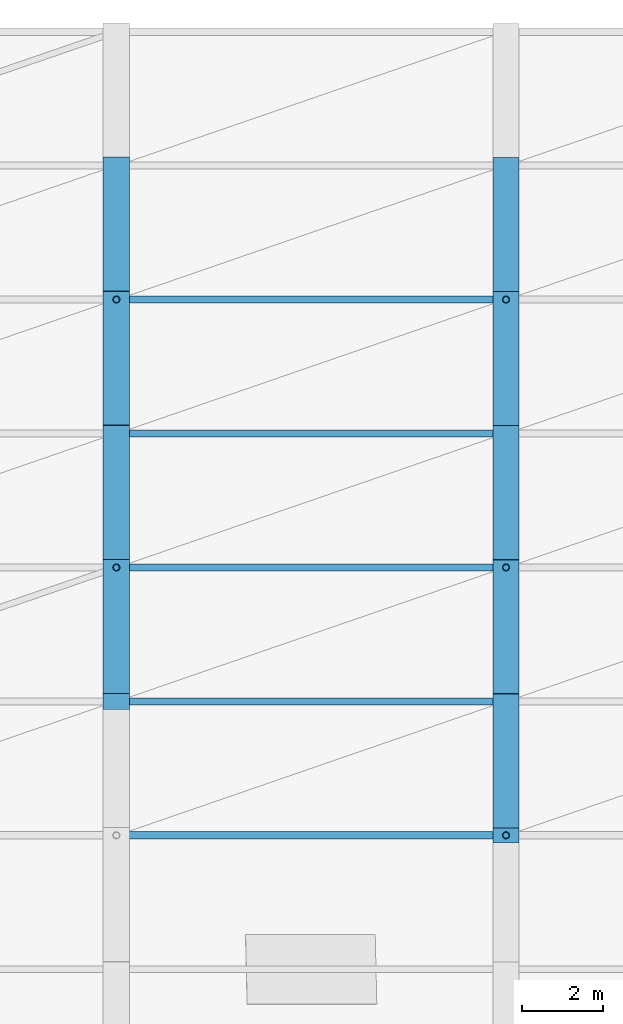
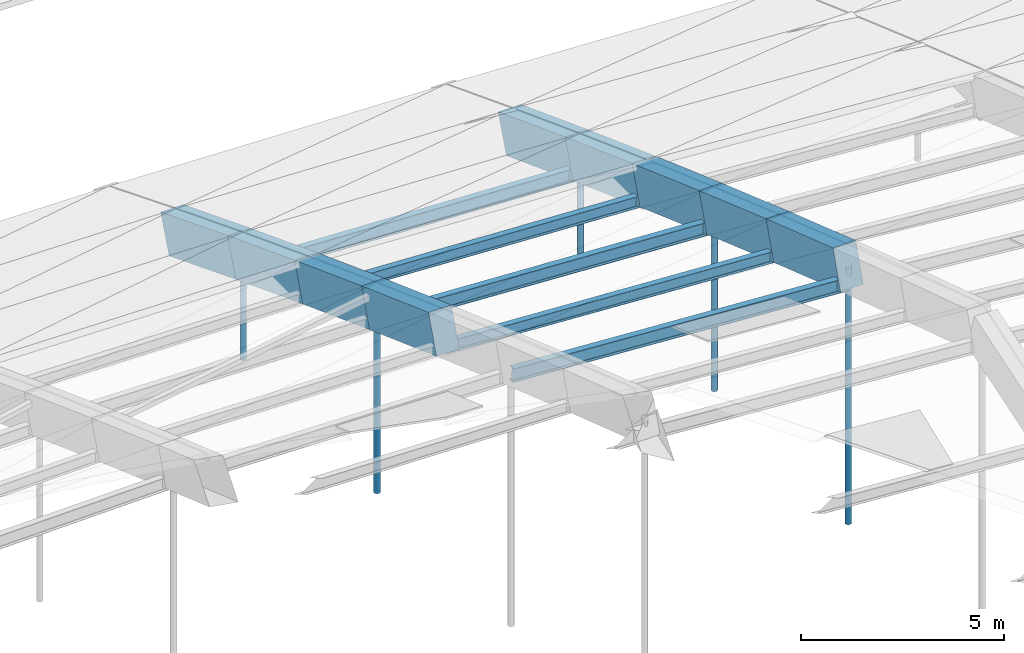
# One storey, part 26 of 43: 10 members, 9 beams.
"""IFC4 building model written with IfcOpenShell, lengths in metres."""

from ifc_helpers import new_model, si_unit, direction, frame, origin, origin_2d, place, context, subcontext, project, spatial, rectangle, hollow_circle, i_section, extrude, material, material_profile, profile_set, type_object, element, save


model = new_model("IFC4")

# Units and contexts
model_context = context("Model", 3, precision=1e-05, world=origin(), true_north=direction((0.0, 1.0)))
body_context = subcontext(model_context, "Body", "Model", "MODEL_VIEW")
ifc_project = project(units=[si_unit("LENGTHUNIT", "METRE"), si_unit("AREAUNIT", "SQUARE_METRE"), si_unit("VOLUMEUNIT", "CUBIC_METRE"), si_unit("PLANEANGLEUNIT", "RADIAN"), si_unit("MASSUNIT", "GRAM", prefix="KILO")], contexts=[model_context])

# Site, building, storey
site_placement = place(None, origin())
site = spatial("IfcSite", under=ifc_project, at=site_placement, CompositionType="ELEMENT")
building_placement = place(site_placement, origin())
building = spatial("IfcBuilding", under=site, at=building_placement, Name="Chalmorin Arch Market", CompositionType="ELEMENT")
storey_placement = place(building_placement, frame((0.0, 0.0, 18.60009765625)))
storey = spatial("IfcBuildingStorey", under=building, at=storey_placement, Name="RF", CompositionType="ELEMENT", Elevation=18.60009765625)

# Members
ifc_material_1 = material(Name="Steel A500 Grade C", Category="steel")
ifc_material_profile_1 = material_profile(ifc_material_1, hollow_circle(Radius=0.084228515625, WallThickness=0.007080078125, at=origin_2d()), Name="CHS168X7")
ifc_profile_set_1 = profile_set([ifc_material_profile_1], Name="Steel A500 Grade C")
member_type_1 = type_object("IfcMemberType", Name="ArchHangerTie-CHS168", PredefinedType="CHORD", material=ifc_profile_set_1)
member_1_placement = place(storey_placement, frame((96.0, 45.60009765625, -2.552978515625), z_axis=(0.0, 0.0, 1.0), x_axis=(1.0, 0.0, 0.0)))
element("IfcMember", 1, at=member_1_placement, inside=storey, type_object=member_type_1, Name="HT-CH168-0168", PredefinedType="CHORD", context=body_context, shape_type="SweptSolid", body=[
    extrude(hollow_circle(Radius=0.084228515625, WallThickness=0.007080078125, at=origin_2d()), origin(), (0.0, 0.0, 1.0), 5.6513671875),
])
member_2_placement = place(storey_placement, frame((96.0, 52.199951171875, -2.552978515625), z_axis=(0.0, 0.0, 1.0), x_axis=(1.0, 0.0, 0.0)))
element("IfcMember", 2, at=member_2_placement, inside=storey, type_object=member_type_1, Name="HT-CH168-0169", PredefinedType="CHORD", context=body_context, shape_type="SweptSolid", body=[
    extrude(hollow_circle(Radius=0.084228515625, WallThickness=0.007080078125, at=origin_2d()), origin(), (0.0, 0.0, 1.0), 3.161376953125),
])
member_3_placement = place(storey_placement, frame((105.60009765625, 39.0, -2.845458984375), z_axis=(0.0, 0.0, 1.0), x_axis=(1.0, 0.0, 0.0)))
element("IfcMember", 3, at=member_3_placement, inside=storey, type_object=member_type_1, Name="HT-CH168-0174", PredefinedType="CHORD", context=body_context, shape_type="SweptSolid", body=[
    extrude(hollow_circle(Radius=0.084228515625, WallThickness=0.007080078125, at=origin_2d()), origin(), (0.0, 0.0, 1.0), 7.72802734375),
])
member_4_placement = place(storey_placement, frame((105.60009765625, 45.60009765625, -2.845458984375), z_axis=(0.0, 0.0, 1.0), x_axis=(1.0, 0.0, 0.0)))
element("IfcMember", 4, at=member_4_placement, inside=storey, type_object=member_type_1, Name="HT-CH168-0175", PredefinedType="CHORD", context=body_context, shape_type="SweptSolid", body=[
    extrude(hollow_circle(Radius=0.084228515625, WallThickness=0.007080078125, at=origin_2d()), origin(), (0.0, 0.0, 1.0), 5.4521484375),
])
member_5_placement = place(storey_placement, frame((105.60009765625, 52.199951171875, -2.845458984375), z_axis=(0.0, 0.0, 1.0), x_axis=(1.0, 0.0, 0.0)))
element("IfcMember", 5, at=member_5_placement, inside=storey, type_object=member_type_1, Name="HT-CH168-0176", PredefinedType="CHORD", context=body_context, shape_type="SweptSolid", body=[
    extrude(hollow_circle(Radius=0.084228515625, WallThickness=0.007080078125, at=origin_2d()), origin(), (0.0, 0.0, 1.0), 3.059326171875),
])

# Beams
ifc_material_2 = material(Name="Concrete C50/60", Category="concrete")
ifc_material_profile_2 = material_profile(ifc_material_2, rectangle(XDim=0.64990234375, YDim=1.14990234375, at=origin_2d()), Name="RC650X1150")
ifc_profile_set_2 = profile_set([ifc_material_profile_2], Name="Concrete C50/60")
beam_type = type_object("IfcBeamType", Name="ArchRibChord-650x1150", PredefinedType="BEAM", material=ifc_profile_set_2)
beam_1_placement = place(storey_placement, frame((96.0, 42.300048828125, 4.2978515625), z_axis=(0.0, 0.939844165336, -0.341603490737), x_axis=(-1.0, 0.0, 0.0)))
element("IfcBeam", 6, at=beam_1_placement, inside=storey, type_object=beam_type, Name="AR-01-1691", PredefinedType="BEAM", context=body_context, shape_type="SweptSolid", body=[
    extrude(rectangle(XDim=0.64990234375, YDim=1.14990234375, at=origin_2d()), origin(), (0.0, 0.0, 1.0), 3.51123046875),
])
beam_2_placement = place(storey_placement, frame((96.0, 45.60009765625, 3.098388671875), z_axis=(0.0, 0.937045198324, -0.349208098843), x_axis=(-1.0, 0.0, 0.0)))
element("IfcBeam", 7, at=beam_2_placement, inside=storey, type_object=beam_type, Name="AR-01-1692", PredefinedType="BEAM", context=body_context, shape_type="SweptSolid", body=[
    extrude(rectangle(XDim=0.64990234375, YDim=1.14990234375, at=origin_2d()), origin(), (0.0, 0.0, 1.0), 3.521484375),
])
beam_3_placement = place(storey_placement, frame((96.0, 48.89990234375, 1.86865234375), z_axis=(0.0, 0.934196190943, -0.356759690586), x_axis=(-1.0, 0.0, 0.0)))
element("IfcBeam", 8, at=beam_3_placement, inside=storey, type_object=beam_type, Name="AR-01-1693", PredefinedType="BEAM", context=body_context, shape_type="SweptSolid", body=[
    extrude(rectangle(XDim=0.64990234375, YDim=1.14990234375, at=origin_2d()), origin(), (0.0, 0.0, 1.0), 3.532470703125),
])
beam_4_placement = place(storey_placement, frame((96.0, 52.199951171875, 0.6083984375), z_axis=(0.0, 0.93134236978, -0.364144738055), x_axis=(-1.0, 0.0, 0.0)))
element("IfcBeam", 9, at=beam_4_placement, inside=storey, type_object=beam_type, Name="AR-01-1694", PredefinedType="BEAM", context=body_context, shape_type="SweptSolid", body=[
    extrude(rectangle(XDim=0.64990234375, YDim=1.14990234375, at=origin_2d()), origin(), (0.0, 0.0, 1.0), 3.543212890625),
])
beam_5_placement = place(storey_placement, frame((105.60009765625, 39.0, 4.882568359375), z_axis=(0.0, 0.946661270145, -0.322230413845), x_axis=(-1.0, 0.0, 0.0)))
element("IfcBeam", 10, at=beam_5_placement, inside=storey, type_object=beam_type, Name="AR-01-1709", PredefinedType="BEAM", context=body_context, shape_type="SweptSolid", body=[
    extrude(rectangle(XDim=0.64990234375, YDim=1.14990234375, at=origin_2d()), origin(), (0.0, 0.0, 1.0), 3.486083984375),
])
beam_6_placement = place(storey_placement, frame((105.60009765625, 42.300048828125, 3.75927734375), z_axis=(0.0, 0.944074839339, -0.32973125076), x_axis=(-1.0, 0.0, 0.0)))
element("IfcBeam", 11, at=beam_6_placement, inside=storey, type_object=beam_type, Name="AR-01-1710", PredefinedType="BEAM", context=body_context, shape_type="SweptSolid", body=[
    extrude(rectangle(XDim=0.64990234375, YDim=1.14990234375, at=origin_2d()), origin(), (0.0, 0.0, 1.0), 3.49560546875),
])
beam_7_placement = place(storey_placement, frame((105.60009765625, 45.60009765625, 2.606689453125), z_axis=(0.0, 0.941435803862, -0.337192270383), x_axis=(-1.0, 0.0, 0.0)))
element("IfcBeam", 12, at=beam_7_placement, inside=storey, type_object=beam_type, Name="AR-01-1711", PredefinedType="BEAM", context=body_context, shape_type="SweptSolid", body=[
    extrude(rectangle(XDim=0.64990234375, YDim=1.14990234375, at=origin_2d()), origin(), (0.0, 0.0, 1.0), 3.505126953125),
])
beam_8_placement = place(storey_placement, frame((105.60009765625, 48.89990234375, 1.4248046875), z_axis=(0.0, 0.938791733534, -0.344485240684), x_axis=(-1.0, 0.0, 0.0)))
element("IfcBeam", 13, at=beam_8_placement, inside=storey, type_object=beam_type, Name="AR-01-1712", PredefinedType="BEAM", context=body_context, shape_type="SweptSolid", body=[
    extrude(rectangle(XDim=0.64990234375, YDim=1.14990234375, at=origin_2d()), origin(), (0.0, 0.0, 1.0), 3.51513671875),
])
beam_9_placement = place(storey_placement, frame((105.60009765625, 52.199951171875, 0.2138671875), z_axis=(0.0, 0.936098447266, -0.351738108579), x_axis=(-1.0, 0.0, 0.0)))
element("IfcBeam", 14, at=beam_9_placement, inside=storey, type_object=beam_type, Name="AR-01-1713", PredefinedType="BEAM", context=body_context, shape_type="SweptSolid", body=[
    extrude(rectangle(XDim=0.64990234375, YDim=1.14990234375, at=origin_2d()), origin(), (0.0, 0.0, 1.0), 3.525390625),
])

# Members
ifc_material_3 = material(Name="Steel A992 Grade 50", Category="steel")
ifc_material_profile_3 = material_profile(ifc_material_3, i_section(OverallWidth=0.1708984375, OverallDepth=0.35107421875, WebThickness=0.0068359375, FlangeThickness=0.009765625, FilletRadius=0.014892578125, at=origin_2d()), Name="W14X30")
ifc_profile_set_3 = profile_set([ifc_material_profile_3], Name="Steel A992 Grade 50")
member_type_2 = type_object("IfcMemberType", Name="RoofSteelPurlin-W14X30", PredefinedType="PURLIN", material=ifc_profile_set_3)
member_6_placement = place(storey_placement, frame((96.02001953125, 42.300048828125, 3.81787109375), z_axis=(0.998416902121, 0.0, -0.056246684868), x_axis=(0.0, 1.0, 0.0)))
element("IfcMember", 15, at=member_6_placement, inside=storey, type_object=member_type_2, Name="PR-W14-0292", PredefinedType="PURLIN", context=body_context, shape_type="SweptSolid", body=[
    extrude(i_section(OverallWidth=0.1708984375, OverallDepth=0.35107421875, WebThickness=0.0068359375, FlangeThickness=0.009765625, FilletRadius=0.014892578125, at=origin_2d()), origin(), (0.0, 0.0, 1.0), 9.5751953125),
])
member_7_placement = place(storey_placement, frame((96.02001953125, 48.89990234375, 1.388671875), z_axis=(0.998923992344, 0.0, -0.046377338426), x_axis=(0.0, 1.0, 0.0)))
element("IfcMember", 16, at=member_7_placement, inside=storey, type_object=member_type_2, Name="PR-W14-0294", PredefinedType="PURLIN", context=body_context, shape_type="SweptSolid", body=[
    extrude(i_section(OverallWidth=0.1708984375, OverallDepth=0.35107421875, WebThickness=0.0068359375, FlangeThickness=0.009765625, FilletRadius=0.014892578125, at=origin_2d()), origin(), (0.0, 0.0, 1.0), 9.5703125),
])
ifc_material_profile_4 = material_profile(ifc_material_3, i_section(OverallWidth=0.178955078125, OverallDepth=0.409912109375, WebThickness=0.0087890625, FlangeThickness=0.014404296875, FilletRadius=0.01806640625, at=origin_2d()), Name="W16X45")
ifc_profile_set_4 = profile_set([ifc_material_profile_4], Name="Steel A992 Grade 50")
member_type_3 = type_object("IfcMemberType", Name="RoofSteelPurlin-W16X45", PredefinedType="PURLIN", material=ifc_profile_set_4)
member_8_placement = place(storey_placement, frame((96.02001953125, 39.0, 4.98681640625), z_axis=(0.998137912706, 0.0, -0.06099760011), x_axis=(0.0, 1.0, 0.0)))
element("IfcMember", 17, at=member_8_placement, inside=storey, type_object=member_type_3, Name="PR-W16-0291", PredefinedType="PURLIN", context=body_context, shape_type="SweptSolid", body=[
    extrude(i_section(OverallWidth=0.178955078125, OverallDepth=0.409912109375, WebThickness=0.0087890625, FlangeThickness=0.014404296875, FilletRadius=0.01806640625, at=origin_2d()), origin(), (0.0, 0.0, 1.0), 9.577880859375),
])
member_9_placement = place(storey_placement, frame((96.02001953125, 45.60009765625, 2.618408203125), z_axis=(0.998679959244, 0.0, -0.051364764235), x_axis=(0.0, 1.0, 0.0)))
element("IfcMember", 18, at=member_9_placement, inside=storey, type_object=member_type_3, Name="PR-W16-0293", PredefinedType="PURLIN", context=body_context, shape_type="SweptSolid", body=[
    extrude(i_section(OverallWidth=0.178955078125, OverallDepth=0.409912109375, WebThickness=0.0087890625, FlangeThickness=0.014404296875, FilletRadius=0.01806640625, at=origin_2d()), origin(), (0.0, 0.0, 1.0), 9.57275390625),
])
member_10_placement = place(storey_placement, frame((96.02001953125, 52.199951171875, 0.12841796875), z_axis=(0.999149533114, 0.0, -0.041233608599), x_axis=(0.0, 1.0, 0.0)))
element("IfcMember", 19, at=member_10_placement, inside=storey, type_object=member_type_3, Name="PR-W16-0295", PredefinedType="PURLIN", context=body_context, shape_type="SweptSolid", body=[
    extrude(i_section(OverallWidth=0.178955078125, OverallDepth=0.409912109375, WebThickness=0.0087890625, FlangeThickness=0.014404296875, FilletRadius=0.01806640625, at=origin_2d()), origin(), (0.0, 0.0, 1.0), 9.568115234375),
])

save(model, "model.ifc")
